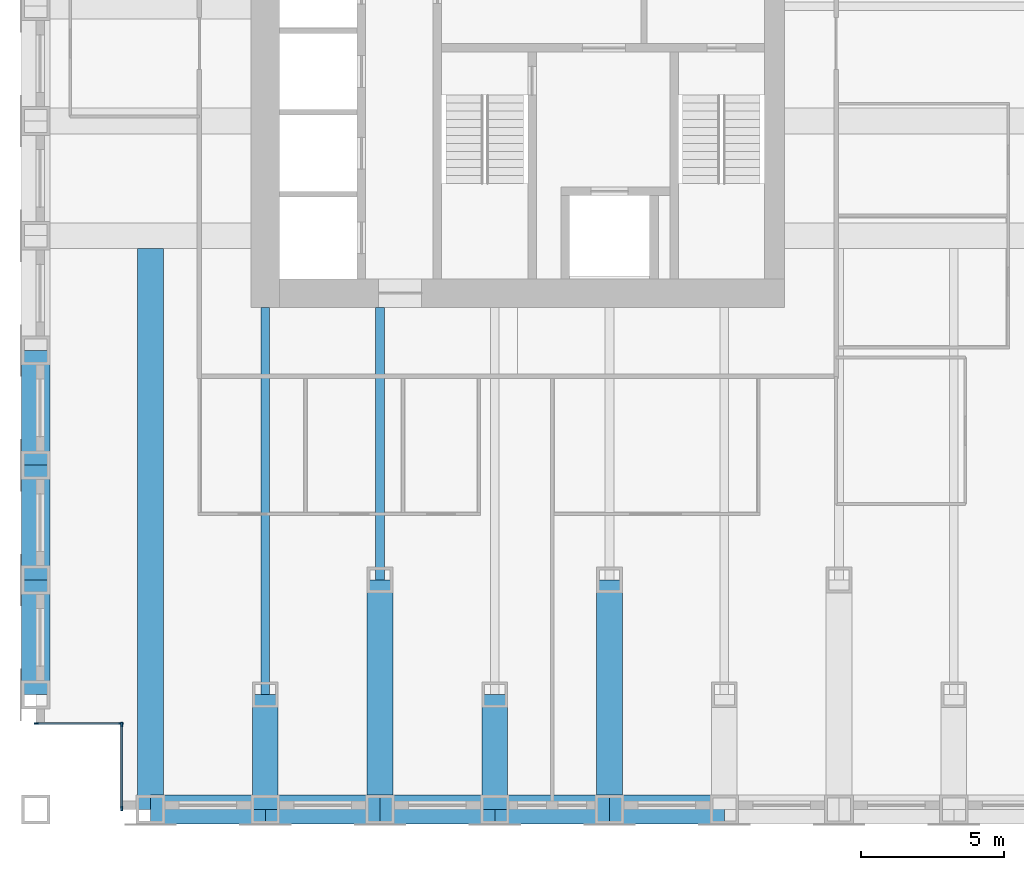
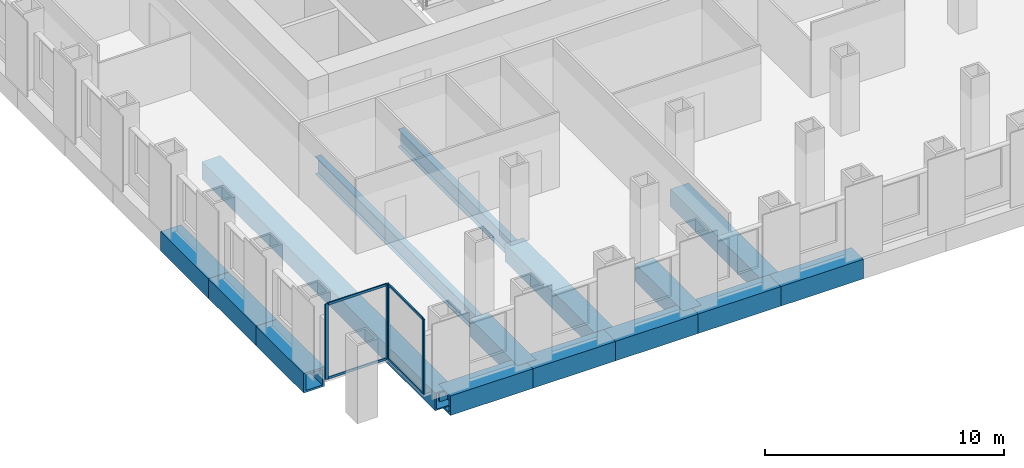
# One storey, part 2 of 16: 15 beams, 8 members, 2 elements without a shape of their own.
"""IFC4 building model written with IfcOpenShell, lengths in metres."""

from ifc_helpers import new_model, si_unit, direction, frame, origin, origin_2d, place, context, subcontext, project, spatial, rectangle, hollow_rectangle, i_section, extrude, material, material_profile, profile_set, type_object, element, aggregate, save


model = new_model("IFC4")

# Units and contexts
model_context = context("Model", 3, precision=1e-05, world=origin(), true_north=direction((0.0, 1.0)))
body_context = subcontext(model_context, "Body", "Model", "MODEL_VIEW")
ifc_project = project(units=[si_unit("LENGTHUNIT", "METRE"), si_unit("AREAUNIT", "SQUARE_METRE"), si_unit("VOLUMEUNIT", "CUBIC_METRE"), si_unit("PLANEANGLEUNIT", "RADIAN"), si_unit("MASSUNIT", "GRAM", prefix="KILO")], contexts=[model_context])

# Site, building, storey
site_placement = place(None, origin())
site = spatial("IfcSite", under=ifc_project, at=site_placement, CompositionType="ELEMENT")
building_placement = place(site_placement, origin())
building = spatial("IfcBuilding", under=site, at=building_placement, Name="Rimbunsela Tower", CompositionType="ELEMENT")
storey_placement = place(building_placement, frame((0.0, 0.0, 85.39990234375)))
storey = spatial("IfcBuildingStorey", under=building, at=storey_placement, Name="L20", CompositionType="ELEMENT", Elevation=85.39990234375)

# Beams
ifc_material_1 = material(Name="Steel BJ 55 (fy 410 MPa)", Category="steel")
ifc_material_profile_1 = material_profile(ifc_material_1, hollow_rectangle(XDim=1.0, YDim=1.0, WallThickness=0.10009765625, at=origin_2d()), Name="BOX 1000x1000x100")
ifc_profile_set_1 = profile_set([ifc_material_profile_1], Name="Steel BJ 55 (fy 410 MPa)")
beam_type_1 = type_object("IfcBeamType", Name="Beam BOX 1000x1000x100", PredefinedType="BEAM", material=ifc_profile_set_1)
for number, where, z_axis, x_axis, name in (
    (1, (10.0, 4.0, -0.64990234375), (0.0, 1.0, 0.0), (-1.0, 0.0, 0.0), "Beam B3 L20"),
    (2, (10.0, 8.0, -0.64990234375), (0.0, 1.0, 0.0), (-1.0, 0.0, 0.0), "Beam B3 L20"),
    (3, (10.0, 12.0, -0.64990234375), (0.0, 1.0, 0.0), (-1.0, 0.0, 0.0), "Beam B3 L20"),
    (4, (14.0, 0.0, -0.64990234375), (1.0, 0.0, 0.0), (0.0, 1.0, 0.0), "Beam B3 L20"),
    (5, (18.0, 0.0, -0.64990234375), (1.0, 0.0, 0.0), (0.0, 1.0, 0.0), "Beam B3 L20"),
    (6, (22.0, 0.0, -0.64990234375), (1.0, 0.0, 0.0), (0.0, 1.0, 0.0), "Beam B3 L20"),
    (7, (26.0, 0.0, -0.64990234375), (1.0, 0.0, 0.0), (0.0, 1.0, 0.0), "Beam B3 L20"),
    (8, (30.0, 0.0, -0.64990234375), (1.0, 0.0, 0.0), (0.0, 1.0, 0.0), "Beam B3 L20"),
):
    element("IfcBeam", number, at=place(storey_placement, frame(where, z_axis=z_axis, x_axis=x_axis)), inside=storey, type_object=beam_type_1, Name=name, PredefinedType="BEAM", context=body_context, shape_type="SweptSolid", body=[
        extrude(hollow_rectangle(XDim=1.0, YDim=1.0, WallThickness=0.10009765625, at=origin_2d()), origin(), (0.0, 0.0, 1.0), 4.0),
    ])
ifc_material_2 = material(Name="Steel BJ 55 (fy 410 MPa)", Category="steel")
ifc_material_profile_2 = material_profile(ifc_material_2, hollow_rectangle(XDim=0.89990234375, YDim=0.89990234375, WallThickness=0.06005859375, at=origin_2d()), Name="BOX 900x900x60")
ifc_profile_set_2 = profile_set([ifc_material_profile_2], Name="Steel BJ 55 (fy 410 MPa)")
beam_type_2 = type_object("IfcBeamType", Name="Beam BOX 900x900x60", PredefinedType="BEAM", material=ifc_profile_set_2)
beam_1_placement = place(storey_placement, frame((14.0, 0.0, -0.599853515625), z_axis=(0.0, 1.0, 0.0), x_axis=(-1.0, 0.0, 0.0)))
element("IfcBeam", 9, at=beam_1_placement, inside=storey, type_object=beam_type_2, Name="Beam B1 L20", PredefinedType="BEAM", context=body_context, shape_type="SweptSolid", body=[
    extrude(hollow_rectangle(XDim=0.89990234375, YDim=0.89990234375, WallThickness=0.06005859375, at=origin_2d()), origin(), (0.0, 0.0, 1.0), 19.550048828125),
])
beam_2_placement = place(storey_placement, frame((18.0, 0.0, -0.599853515625), z_axis=(0.0, 1.0, 0.0), x_axis=(-1.0, 0.0, 0.0)))
element("IfcBeam", 10, at=beam_2_placement, inside=storey, type_object=beam_type_2, Name="Beam B1 L20", PredefinedType="BEAM", context=body_context, shape_type="SweptSolid", body=[
    extrude(hollow_rectangle(XDim=0.89990234375, YDim=0.89990234375, WallThickness=0.06005859375, at=origin_2d()), origin(), (0.0, 0.0, 1.0), 4.0),
])
beam_3_placement = place(storey_placement, frame((22.0, 0.0, -0.599853515625), z_axis=(0.0, 1.0, 0.0), x_axis=(-1.0, 0.0, 0.0)))
element("IfcBeam", 11, at=beam_3_placement, inside=storey, type_object=beam_type_2, Name="Beam B1 L20", PredefinedType="BEAM", context=body_context, shape_type="SweptSolid", body=[
    extrude(hollow_rectangle(XDim=0.89990234375, YDim=0.89990234375, WallThickness=0.06005859375, at=origin_2d()), origin(), (0.0, 0.0, 1.0), 8.0),
])
beam_4_placement = place(storey_placement, frame((26.0, 0.0, -0.599853515625), z_axis=(0.0, 1.0, 0.0), x_axis=(-1.0, 0.0, 0.0)))
element("IfcBeam", 12, at=beam_4_placement, inside=storey, type_object=beam_type_2, Name="Beam B1 L20", PredefinedType="BEAM", context=body_context, shape_type="SweptSolid", body=[
    extrude(hollow_rectangle(XDim=0.89990234375, YDim=0.89990234375, WallThickness=0.06005859375, at=origin_2d()), origin(), (0.0, 0.0, 1.0), 4.0),
])
beam_5_placement = place(storey_placement, frame((30.0, 0.0, -0.599853515625), z_axis=(0.0, 1.0, 0.0), x_axis=(-1.0, 0.0, 0.0)))
element("IfcBeam", 13, at=beam_5_placement, inside=storey, type_object=beam_type_2, Name="Beam B1 L20", PredefinedType="BEAM", context=body_context, shape_type="SweptSolid", body=[
    extrude(hollow_rectangle(XDim=0.89990234375, YDim=0.89990234375, WallThickness=0.06005859375, at=origin_2d()), origin(), (0.0, 0.0, 1.0), 8.0),
])
ifc_material_3 = material(Name="Steel BJ 55 (fy 410 MPa)", Category="steel")
ifc_material_profile_3 = material_profile(ifc_material_3, i_section(OverallWidth=0.300048828125, OverallDepth=0.89990234375, WebThickness=0.01611328125, FlangeThickness=0.028076171875, FilletRadius=0.028076171875, at=origin_2d()), Name="H 900x300x16x28")
ifc_profile_set_3 = profile_set([ifc_material_profile_3], Name="Steel BJ 55 (fy 410 MPa)")
beam_type_3 = type_object("IfcBeamType", Name="Beam H 900x300x16x28", PredefinedType="BEAM", material=ifc_profile_set_3)
beam_6_placement = place(storey_placement, frame((18.0, 4.0, -0.599853515625), z_axis=(0.0, 1.0, 0.0), x_axis=(-1.0, 0.0, 0.0)))
element("IfcBeam", 14, at=beam_6_placement, inside=storey, type_object=beam_type_3, Name="Beam B2 L20", PredefinedType="BEAM", context=body_context, shape_type="SweptSolid", body=[
    extrude(i_section(OverallWidth=0.300048828125, OverallDepth=0.89990234375, WebThickness=0.01611328125, FlangeThickness=0.028076171875, FilletRadius=0.028076171875, at=origin_2d()), origin(), (0.0, 0.0, 1.0), 13.5),
])
beam_7_placement = place(storey_placement, frame((22.0, 8.0, -0.599853515625), z_axis=(0.0, 1.0, 0.0), x_axis=(-1.0, 0.0, 0.0)))
element("IfcBeam", 15, at=beam_7_placement, inside=storey, type_object=beam_type_3, Name="Beam B2 L20", PredefinedType="BEAM", context=body_context, shape_type="SweptSolid", body=[
    extrude(i_section(OverallWidth=0.300048828125, OverallDepth=0.89990234375, WebThickness=0.01611328125, FlangeThickness=0.028076171875, FilletRadius=0.028076171875, at=origin_2d()), origin(), (0.0, 0.0, 1.0), 9.5),
])

# Curtain wall, members
ifc_material_4 = material(Name="Aluminium curtain wall", Category="aluminium")
curtain_wall_type = type_object("IfcCurtainWallType", Name="Corner glazing", PredefinedType="USERDEFINED", material=ifc_material_4)
curtain_wall_1_placement = place(storey_placement, origin())
curtain_wall_1 = element("IfcCurtainWall", 16, at=curtain_wall_1_placement, inside=storey, type_object=curtain_wall_type, Name="Corner glazing L20", ObjectType="CORNER GLAZING", PredefinedType="USERDEFINED")
ifc_material_5 = material(Name="Aluminium mullion", Category="aluminium")
ifc_material_profile_4 = material_profile(ifc_material_5, rectangle(XDim=0.06005859375, YDim=0.159912109375, at=origin_2d()), Name="Mullion 60x160")
ifc_profile_set_4 = profile_set([ifc_material_profile_4], Name="Aluminium mullion")
member_type_1 = type_object("IfcMemberType", Name="Curtain wall mullion 60x160", PredefinedType="MULLION", material=ifc_profile_set_4)
member_1_placement = place(storey_placement, frame((10.030029296875, 3.0, 0.0), z_axis=(0.0, 0.0, 1.0), x_axis=(0.0, 1.0, 0.0)))
member_1 = element("IfcMember", 17, at=member_1_placement, type_object=member_type_1, Name="CW5 mullion 1", PredefinedType="MULLION", context=body_context, shape_type="SweptSolid", body=[
    extrude(rectangle(XDim=0.06005859375, YDim=0.159912109375, at=origin_2d()), origin(), (0.0, 0.0, 1.0), 3.85009765625),
])
member_2_placement = place(storey_placement, frame((12.969970703125, 3.0, 0.0), z_axis=(0.0, 0.0, 1.0), x_axis=(0.0, 1.0, 0.0)))
member_2 = element("IfcMember", 18, at=member_2_placement, type_object=member_type_1, Name="CW5 mullion 2", PredefinedType="MULLION", context=body_context, shape_type="SweptSolid", body=[
    extrude(rectangle(XDim=0.06005859375, YDim=0.159912109375, at=origin_2d()), origin(), (0.0, 0.0, 1.0), 3.85009765625),
])

curtain_wall_2_placement = place(storey_placement, origin())
curtain_wall_2 = element("IfcCurtainWall", 19, at=curtain_wall_2_placement, inside=storey, type_object=curtain_wall_type, Name="Corner glazing L20", ObjectType="CORNER GLAZING", PredefinedType="USERDEFINED")
member_3_placement = place(storey_placement, frame((13.0, 2.969970703125, 0.0), z_axis=(0.0, 0.0, 1.0), x_axis=(1.0, 0.0, 0.0)))
member_3 = element("IfcMember", 20, at=member_3_placement, type_object=member_type_1, Name="CW5 mullion 1", PredefinedType="MULLION", context=body_context, shape_type="SweptSolid", body=[
    extrude(rectangle(XDim=0.06005859375, YDim=0.159912109375, at=origin_2d()), origin(), (0.0, 0.0, 1.0), 3.85009765625),
])
member_4_placement = place(storey_placement, frame((13.0, 0.030029296875, 0.0), z_axis=(0.0, 0.0, 1.0), x_axis=(1.0, 0.0, 0.0)))
member_4 = element("IfcMember", 21, at=member_4_placement, type_object=member_type_1, Name="CW5 mullion 2", PredefinedType="MULLION", context=body_context, shape_type="SweptSolid", body=[
    extrude(rectangle(XDim=0.06005859375, YDim=0.159912109375, at=origin_2d()), origin(), (0.0, 0.0, 1.0), 3.85009765625),
])

# Member
ifc_material_6 = material(Name="Aluminium transom", Category="aluminium")
ifc_material_profile_5 = material_profile(ifc_material_6, rectangle(XDim=0.06005859375, YDim=0.1201171875, at=origin_2d()), Name="Transom 60x120")
ifc_profile_set_5 = profile_set([ifc_material_profile_5], Name="Aluminium transom")
member_type_2 = type_object("IfcMemberType", Name="Curtain wall transom 60x120", PredefinedType="USERDEFINED", material=ifc_profile_set_5)
member_5_placement = place(storey_placement, frame((10.06005859375, 3.0, 0.030029296875), z_axis=(1.0, 0.0, 0.0), x_axis=(0.0, 1.0, 0.0)))
member_5 = element("IfcMember", 22, at=member_5_placement, type_object=member_type_2, Name="CW5 transom 1.1", ObjectType="TRANSOM", PredefinedType="USERDEFINED", context=body_context, shape_type="SweptSolid", body=[
    extrude(rectangle(XDim=0.06005859375, YDim=0.1201171875, at=origin_2d()), origin(), (0.0, 0.0, 1.0), 2.8798828125),
])

member_6_placement = place(storey_placement, frame((10.06005859375, 3.0, 3.820068359375), z_axis=(1.0, 0.0, 0.0), x_axis=(0.0, 1.0, 0.0)))
member_6 = element("IfcMember", 23, at=member_6_placement, type_object=member_type_2, Name="CW5 transom 1.2", ObjectType="TRANSOM", PredefinedType="USERDEFINED", context=body_context, shape_type="SweptSolid", body=[
    extrude(rectangle(XDim=0.06005859375, YDim=0.1201171875, at=origin_2d()), origin(), (0.0, 0.0, 1.0), 2.8798828125),
])

aggregate(curtain_wall_1, [member_1, member_2, member_5, member_6])

member_7_placement = place(storey_placement, frame((13.0, 2.93994140625, 0.030029296875), z_axis=(0.0, -1.0, 0.0), x_axis=(1.0, 0.0, 0.0)))
member_7 = element("IfcMember", 24, at=member_7_placement, type_object=member_type_2, Name="CW5 transom 1.1", ObjectType="TRANSOM", PredefinedType="USERDEFINED", context=body_context, shape_type="SweptSolid", body=[
    extrude(rectangle(XDim=0.06005859375, YDim=0.1201171875, at=origin_2d()), origin(), (0.0, 0.0, 1.0), 2.8798828125),
])

member_8_placement = place(storey_placement, frame((13.0, 2.93994140625, 3.820068359375), z_axis=(0.0, -1.0, 0.0), x_axis=(1.0, 0.0, 0.0)))
member_8 = element("IfcMember", 25, at=member_8_placement, type_object=member_type_2, Name="CW5 transom 1.2", ObjectType="TRANSOM", PredefinedType="USERDEFINED", context=body_context, shape_type="SweptSolid", body=[
    extrude(rectangle(XDim=0.06005859375, YDim=0.1201171875, at=origin_2d()), origin(), (0.0, 0.0, 1.0), 2.8798828125),
])

aggregate(curtain_wall_2, [member_3, member_4, member_7, member_8])

save(model, "model.ifc")
